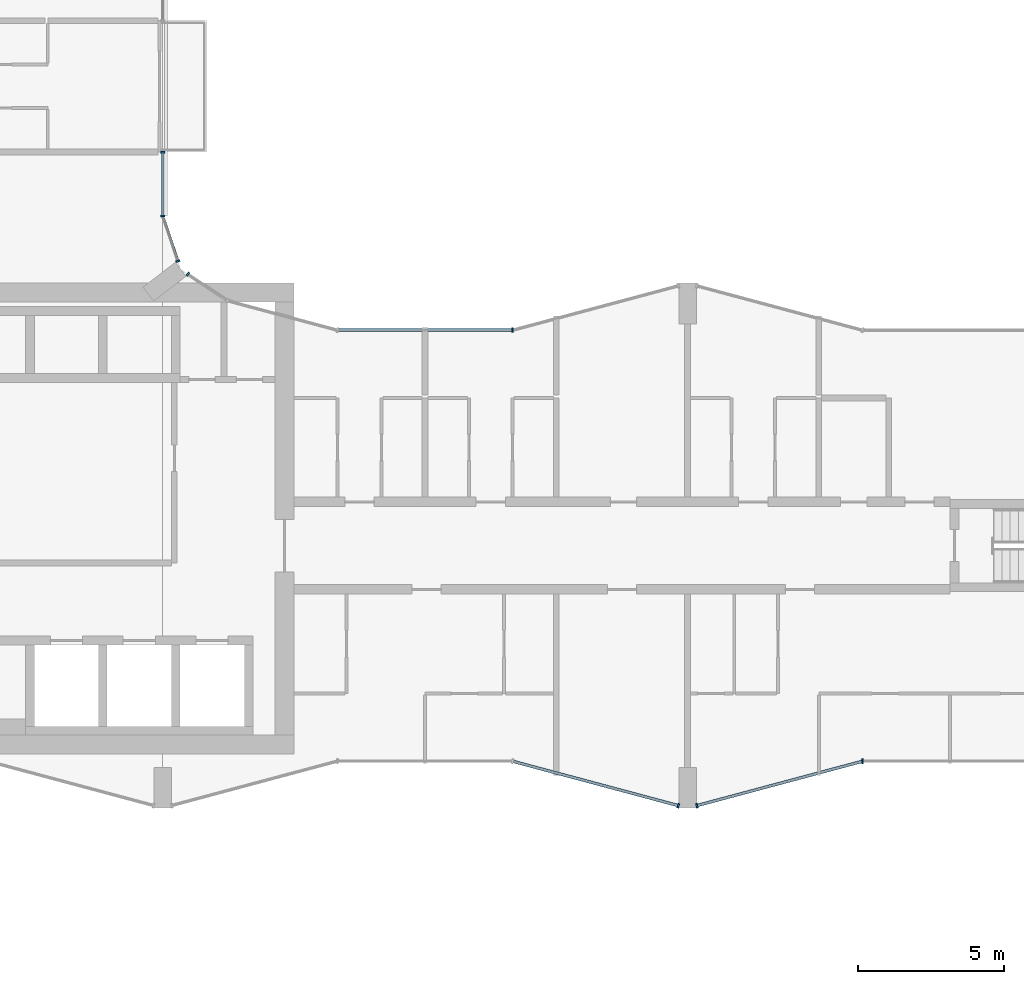
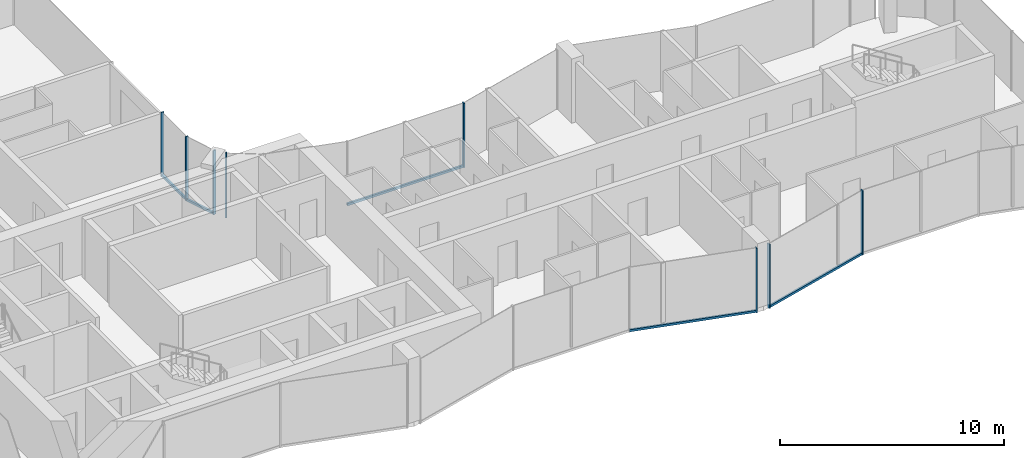
# One storey, part 4 of 22: 13 members, 7 elements without a shape of their own.
"""IFC4 building model written with IfcOpenShell, lengths in metres."""

from ifc_helpers import new_model, si_unit, direction, frame, origin, origin_2d, place, context, subcontext, project, spatial, rectangle, extrude, material, layer, layer_set, material_profile, profile_set, type_object, element, aggregate, save


model = new_model("IFC4")

# Units and contexts
model_context = context("Model", 3, precision=1e-05, world=origin(), true_north=direction((0.0, 1.0)))
body_context = subcontext(model_context, "Body", "Model", "MODEL_VIEW")
ifc_project = project(units=[si_unit("LENGTHUNIT", "METRE"), si_unit("AREAUNIT", "SQUARE_METRE"), si_unit("VOLUMEUNIT", "CUBIC_METRE"), si_unit("PLANEANGLEUNIT", "RADIAN"), si_unit("MASSUNIT", "GRAM", prefix="KILO")], contexts=[model_context])

# Site, building, storey
site_placement = place(None, origin())
site = spatial("IfcSite", under=ifc_project, at=site_placement, CompositionType="ELEMENT")
building_placement = place(site_placement, origin())
building = spatial("IfcBuilding", under=site, at=building_placement, Name="Plateau Cross Towers", CompositionType="ELEMENT")
storey_placement = place(building_placement, frame((0.0, 0.0, 106.300048828125)))
storey = spatial("IfcBuildingStorey", under=building, at=storey_placement, Name="L27", CompositionType="ELEMENT", Elevation=106.300048828125)

# Curtain wall, member
ifc_material_1 = material(Name="Dark low-iron glass", Category="glass")
ifc_layer_1 = layer(ifc_material_1, 0.239990234375)
ifc_layer_set_1 = layer_set([ifc_layer_1], Name="Dark low-iron glass")
curtain_wall_type_1 = type_object("IfcCurtainWallType", Name="Curtain wall flush unitised CW-B", PredefinedType="NOTDEFINED", material=ifc_layer_set_1)
curtain_wall_1_placement = place(storey_placement, origin())
curtain_wall_1 = element("IfcCurtainWall", 1, at=curtain_wall_1_placement, inside=storey, type_object=curtain_wall_type_1, Name="ENV/A/L27/A202_174", PredefinedType="NOTDEFINED")
ifc_material_2 = material(Name="Black anodised aluminium", Category="aluminium")
ifc_material_profile_1 = material_profile(ifc_material_2, rectangle(XDim=0.06005859375, YDim=0.139892578125, at=origin_2d()), Name="MULLION 60x140")
ifc_profile_set_1 = profile_set([ifc_material_profile_1], Name="Black anodised aluminium")
member_type_1 = type_object("IfcMemberType", Name="Mullion 60x140 flush unitised", PredefinedType="MULLION", material=ifc_profile_set_1)
member_1_placement = place(storey_placement, frame((18.86962890625, 18.30908203125, -0.25), z_axis=(0.0, 0.0, 1.0), x_axis=(-0.831521253329, 0.555492938984, 0.0)))
member_1 = element("IfcMember", 2, at=member_1_placement, type_object=member_type_1, Name="CW-B mullion 2", PredefinedType="MULLION", context=body_context, shape_type="SweptSolid", body=[
    extrude(rectangle(XDim=0.06005859375, YDim=0.139892578125, at=origin_2d()), origin(), (0.0, 0.0, 1.0), 3.5),
])
aggregate(curtain_wall_1, [member_1])

curtain_wall_2_placement = place(storey_placement, origin())
curtain_wall_2 = element("IfcCurtainWall", 3, at=curtain_wall_2_placement, inside=storey, type_object=curtain_wall_type_1, Name="ENV/A/L27/A185_188", PredefinedType="NOTDEFINED")
member_2_placement = place(storey_placement, frame((18.523681640625, 18.760009765625, -0.25), z_axis=(0.0, 0.0, 1.0), x_axis=(-0.321469161574, 0.94692004845, 0.0)))
member_2 = element("IfcMember", 4, at=member_2_placement, type_object=member_type_1, Name="CW-B mullion 1", PredefinedType="MULLION", context=body_context, shape_type="SweptSolid", body=[
    extrude(rectangle(XDim=0.06005859375, YDim=0.139892578125, at=origin_2d()), origin(), (0.0, 0.0, 1.0), 3.5),
])

# Curtain wall, members
curtain_wall_3_placement = place(storey_placement, origin())
curtain_wall_3 = element("IfcCurtainWall", 5, at=curtain_wall_3_placement, inside=storey, type_object=curtain_wall_type_1, Name="ENV/A/L27/A180_203", PredefinedType="NOTDEFINED")
member_3_placement = place(storey_placement, frame((18.0, 20.30224609375, -0.25), z_axis=(0.0, 0.0, 1.0), x_axis=(0.0, 1.0, 0.0)))
member_3 = element("IfcMember", 6, at=member_3_placement, type_object=member_type_1, Name="CW-B mullion 1", PredefinedType="MULLION", context=body_context, shape_type="SweptSolid", body=[
    extrude(rectangle(XDim=0.06005859375, YDim=0.139892578125, at=origin_2d()), origin(), (0.0, 0.0, 1.0), 3.5),
])
member_4_placement = place(storey_placement, frame((18.0, 22.489990234375, -0.25), z_axis=(0.0, 0.0, 1.0), x_axis=(0.0, 1.0, 0.0)))
member_4 = element("IfcMember", 7, at=member_4_placement, type_object=member_type_1, Name="CW-B mullion 2", PredefinedType="MULLION", context=body_context, shape_type="SweptSolid", body=[
    extrude(rectangle(XDim=0.06005859375, YDim=0.139892578125, at=origin_2d()), origin(), (0.0, 0.0, 1.0), 3.5),
])

# Curtain wall, member
ifc_layer_2 = layer(ifc_material_1, 0.260009765625)
ifc_layer_set_2 = layer_set([ifc_layer_2], Name="Dark low-iron glass")
curtain_wall_type_2 = type_object("IfcCurtainWallType", Name="Curtain wall fluted unitised CW-A", PredefinedType="NOTDEFINED", material=ifc_layer_set_2)
curtain_wall_4_placement = place(storey_placement, origin())
curtain_wall_4 = element("IfcCurtainWall", 8, at=curtain_wall_4_placement, inside=storey, type_object=curtain_wall_type_2, Name="ENV/A/L27/A300_16", PredefinedType="NOTDEFINED")
ifc_material_profile_2 = material_profile(ifc_material_2, rectangle(XDim=0.06005859375, YDim=0.159912109375, at=origin_2d()), Name="MULLION 60x160")
ifc_profile_set_2 = profile_set([ifc_material_profile_2], Name="Black anodised aluminium")
member_type_2 = type_object("IfcMemberType", Name="Mullion 60x160 fluted unitised", PredefinedType="MULLION", material=ifc_profile_set_2)
member_5_placement = place(storey_placement, frame((35.68212890625, 0.085205078125, -0.25), z_axis=(0.0, 0.0, 1.0), x_axis=(0.965957983404, -0.258699003279, 0.0)))
member_5 = element("IfcMember", 9, at=member_5_placement, type_object=member_type_2, Name="CW-A mullion 2", PredefinedType="MULLION", context=body_context, shape_type="SweptSolid", body=[
    extrude(rectangle(XDim=0.06005859375, YDim=0.159912109375, at=origin_2d()), origin(), (0.0, 0.0, 1.0), 3.5),
])

curtain_wall_5_placement = place(storey_placement, origin())
curtain_wall_5 = element("IfcCurtainWall", 10, at=curtain_wall_5_placement, inside=storey, type_object=curtain_wall_type_2, Name="ENV/A/L27/A363_1", PredefinedType="NOTDEFINED")
member_6_placement = place(storey_placement, frame((36.31787109375, 0.085205078125, -0.25), z_axis=(0.0, 0.0, 1.0), x_axis=(0.965957983404, 0.258699003279, 0.0)))
member_6 = element("IfcMember", 11, at=member_6_placement, type_object=member_type_2, Name="CW-A mullion 1", PredefinedType="MULLION", context=body_context, shape_type="SweptSolid", body=[
    extrude(rectangle(XDim=0.06005859375, YDim=0.159912109375, at=origin_2d()), origin(), (0.0, 0.0, 1.0), 3.5),
])

curtain_wall_6_placement = place(storey_placement, origin())
curtain_wall_6 = element("IfcCurtainWall", 12, at=curtain_wall_6_placement, inside=storey, type_object=curtain_wall_type_2, Name="ENV/A/L27/A420_16", PredefinedType="NOTDEFINED")
member_7_placement = place(storey_placement, frame((42.0, 1.60693359375, -0.25), z_axis=(0.0, 0.0, 1.0), x_axis=(1.0, 0.0, 0.0)))
member_7 = element("IfcMember", 13, at=member_7_placement, type_object=member_type_2, Name="CW-A mullion 1", PredefinedType="MULLION", context=body_context, shape_type="SweptSolid", body=[
    extrude(rectangle(XDim=0.06005859375, YDim=0.159912109375, at=origin_2d()), origin(), (0.0, 0.0, 1.0), 3.5),
])
aggregate(curtain_wall_6, [member_7])

curtain_wall_7_placement = place(storey_placement, origin())
curtain_wall_7 = element("IfcCurtainWall", 14, at=curtain_wall_7_placement, inside=storey, type_object=curtain_wall_type_2, Name="ENV/A/L27/A300_164", PredefinedType="NOTDEFINED")
member_8_placement = place(storey_placement, frame((30.0, 16.39306640625, -0.25), z_axis=(0.0, 0.0, 1.0), x_axis=(-1.0, 0.0, 0.0)))
member_8 = element("IfcMember", 15, at=member_8_placement, type_object=member_type_2, Name="CW-A mullion 1", PredefinedType="MULLION", context=body_context, shape_type="SweptSolid", body=[
    extrude(rectangle(XDim=0.06005859375, YDim=0.159912109375, at=origin_2d()), origin(), (0.0, 0.0, 1.0), 3.5),
])

# Member
ifc_material_profile_3 = material_profile(ifc_material_2, rectangle(XDim=0.10009765625, YDim=0.1201171875, at=origin_2d()), Name="TRANSOM 100x120")
ifc_profile_set_3 = profile_set([ifc_material_profile_3], Name="Black anodised aluminium")
member_type_3 = type_object("IfcMemberType", Name="Transom 100x120 flush unitised", PredefinedType="USERDEFINED", material=ifc_profile_set_3)
member_9_placement = place(storey_placement, frame((18.523681640625, 18.760009765625, -0.18994140625), z_axis=(-0.321529174838, 0.946899672472, 0.0), x_axis=(-0.946899672472, -0.321529174838, 0.0)))
member_9 = element("IfcMember", 16, at=member_9_placement, type_object=member_type_3, Name="CW-B transom", ObjectType="TRANSOM", PredefinedType="USERDEFINED", context=body_context, shape_type="SweptSolid", body=[
    extrude(rectangle(XDim=0.10009765625, YDim=0.1201171875, at=origin_2d()), origin(), (0.0, 0.0, 1.0), 1.628662109375),
])

aggregate(curtain_wall_2, [member_2, member_9])

member_10_placement = place(storey_placement, frame((18.0, 20.30224609375, -0.18994140625), z_axis=(0.0, 1.0, 0.0), x_axis=(-1.0, 0.0, 0.0)))
member_10 = element("IfcMember", 17, at=member_10_placement, type_object=member_type_3, Name="CW-B transom", ObjectType="TRANSOM", PredefinedType="USERDEFINED", context=body_context, shape_type="SweptSolid", body=[
    extrude(rectangle(XDim=0.10009765625, YDim=0.1201171875, at=origin_2d()), origin(), (0.0, 0.0, 1.0), 2.187744140625),
])

aggregate(curtain_wall_3, [member_3, member_4, member_10])

ifc_material_profile_4 = material_profile(ifc_material_2, rectangle(XDim=0.10009765625, YDim=0.1201171875, at=origin_2d()), Name="TRANSOM 100x120")
ifc_profile_set_4 = profile_set([ifc_material_profile_4], Name="Black anodised aluminium")
member_type_4 = type_object("IfcMemberType", Name="Transom 100x120 fluted unitised", PredefinedType="USERDEFINED", material=ifc_profile_set_4)
member_11_placement = place(storey_placement, frame((30.0, 1.60693359375, -0.18994140625), z_axis=(0.965959534794, -0.258693210465, 0.0), x_axis=(0.258693210465, 0.965959534794, 0.0)))
member_11 = element("IfcMember", 18, at=member_11_placement, type_object=member_type_4, Name="CW-A transom", ObjectType="TRANSOM", PredefinedType="USERDEFINED", context=body_context, shape_type="SweptSolid", body=[
    extrude(rectangle(XDim=0.10009765625, YDim=0.1201171875, at=origin_2d()), origin(), (0.0, 0.0, 1.0), 5.88232421875),
])

aggregate(curtain_wall_4, [member_5, member_11])

member_12_placement = place(storey_placement, frame((36.31787109375, 0.085205078125, -0.18994140625), z_axis=(0.965959534794, 0.258693210465, 0.0), x_axis=(-0.258693210465, 0.965959534794, 0.0)))
member_12 = element("IfcMember", 19, at=member_12_placement, type_object=member_type_4, Name="CW-A transom", ObjectType="TRANSOM", PredefinedType="USERDEFINED", context=body_context, shape_type="SweptSolid", body=[
    extrude(rectangle(XDim=0.10009765625, YDim=0.1201171875, at=origin_2d()), origin(), (0.0, 0.0, 1.0), 5.88232421875),
])

aggregate(curtain_wall_5, [member_6, member_12])

member_13_placement = place(storey_placement, frame((30.0, 16.39306640625, -0.18994140625), z_axis=(-1.0, 0.0, 0.0), x_axis=(0.0, -1.0, 0.0)))
member_13 = element("IfcMember", 20, at=member_13_placement, type_object=member_type_4, Name="CW-A transom", ObjectType="TRANSOM", PredefinedType="USERDEFINED", context=body_context, shape_type="SweptSolid", body=[
    extrude(rectangle(XDim=0.10009765625, YDim=0.1201171875, at=origin_2d()), origin(), (0.0, 0.0, 1.0), 6.0),
])

aggregate(curtain_wall_7, [member_8, member_13])

save(model, "model.ifc")
